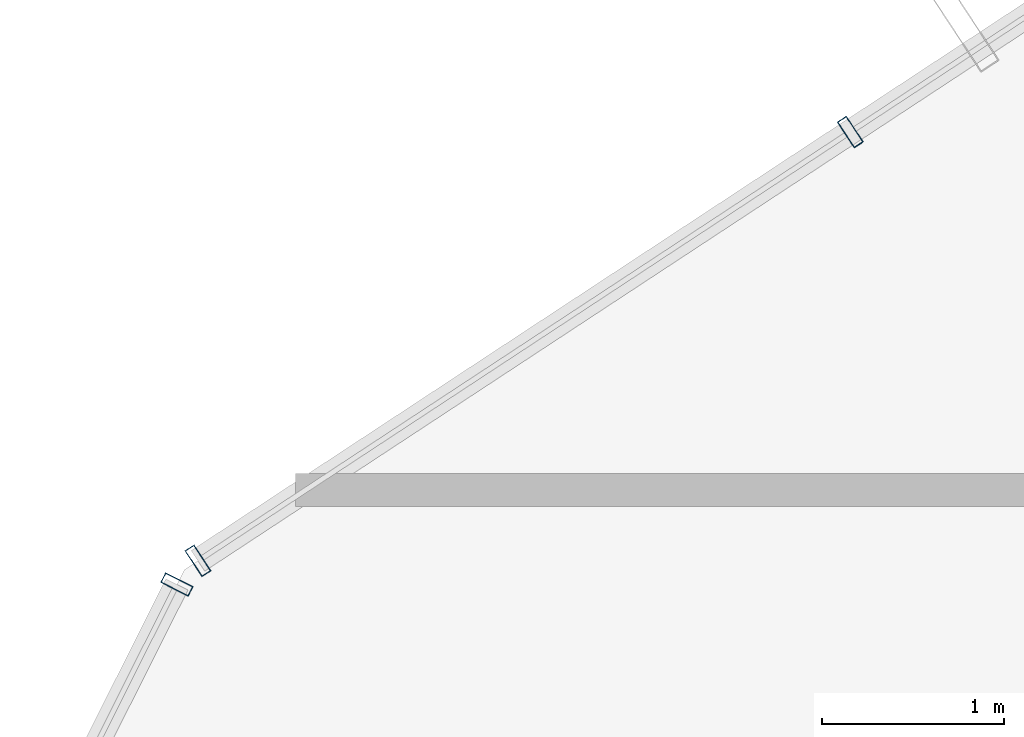
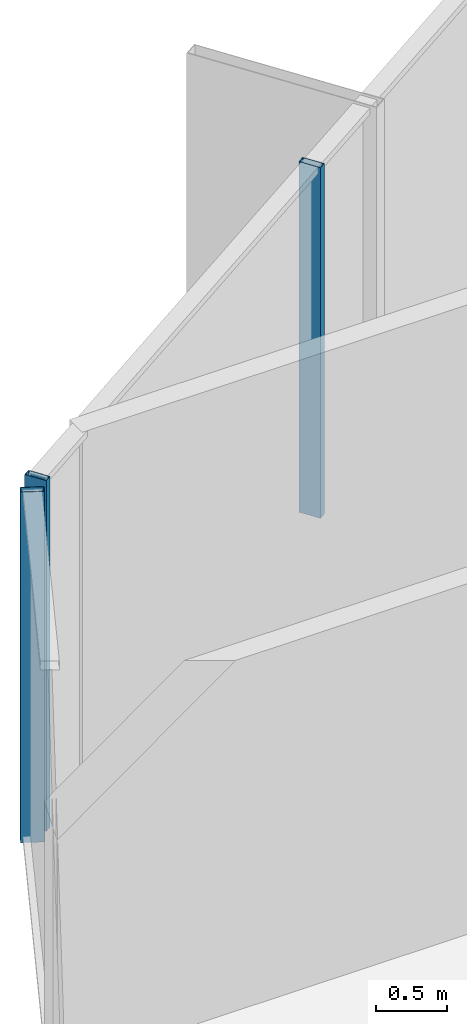
# One storey, part 18 of 33: 3 members, 2 elements without a shape of their own.
"""IFC4 building model written with IfcOpenShell, lengths in metres."""

from ifc_helpers import new_model, si_unit, direction, frame, origin, origin_2d, place, context, subcontext, project, spatial, hollow_rectangle, extrude, source, transform, mapped, material, layer, layer_set, material_profile, profile_set, type_object, element, aggregate, save


model = new_model("IFC4")

# Units and contexts
model_context = context("Model", 3, precision=1e-05, world=origin(), true_north=direction((0.0, 1.0)))
body_context = subcontext(model_context, "Body", "Model", "MODEL_VIEW")
ifc_project = project(units=[si_unit("LENGTHUNIT", "METRE"), si_unit("AREAUNIT", "SQUARE_METRE"), si_unit("VOLUMEUNIT", "CUBIC_METRE"), si_unit("PLANEANGLEUNIT", "RADIAN"), si_unit("MASSUNIT", "GRAM", prefix="KILO")], contexts=[model_context])

# Site, building, storey
site_placement = place(None, origin())
site = spatial("IfcSite", under=ifc_project, at=site_placement, CompositionType="ELEMENT")
building_placement = place(site_placement, origin())
building = spatial("IfcBuilding", under=site, at=building_placement, Name="Veraguas Prism Commons", CompositionType="ELEMENT")
storey_placement = place(building_placement, frame((0.0, 0.0, 139.25)))
storey = spatial("IfcBuildingStorey", under=building, at=storey_placement, Name="L39", CompositionType="ELEMENT", Elevation=139.25)

# Curtain wall, members
ifc_material = material(Name="Anodised aluminium EN AW-6063 T6", Category="aluminium")
ifc_layer = layer(ifc_material, 0.169921875, Name="Unitised Flush Curtain Wall Zone 2", Category="aluminium")
ifc_layer_set = layer_set([ifc_layer], Name="Anodised aluminium EN AW-6063 T6")
curtain_wall_type = type_object("IfcCurtainWallType", Name="Unitised Flush Curtain Wall Zone 2", PredefinedType="NOTDEFINED", material=ifc_layer_set)
curtain_wall_1_placement = place(storey_placement, origin())
curtain_wall_1 = element("IfcCurtainWall", 1, at=curtain_wall_1_placement, inside=storey, type_object=curtain_wall_type, Name="Tower Facade Curtain Wall L39-F2", PredefinedType="NOTDEFINED")
ifc_material_profile = material_profile(ifc_material, hollow_rectangle(XDim=0.06005859375, YDim=0.169921875, WallThickness=0.00390625, at=origin_2d()), Name="AL60X170X4")
ifc_profile_set = profile_set([ifc_material_profile], Name="Anodised aluminium EN AW-6063 T6")
member_type = type_object("IfcMemberType", Name="Curtain Wall Mullion Lower AL 60x170x4", PredefinedType="MULLION", material=ifc_profile_set)
shared_shape = source(origin(), body_context, "Body", "SweptSolid", [
    extrude(hollow_rectangle(XDim=0.06005859375, YDim=0.169921875, WallThickness=0.00390625, at=origin_2d()), origin(), (0.0, 0.0, 1.0), 3.0),
])
member_1_placement = place(storey_placement, frame((9.862548828125, 37.662353515625, 0.0), z_axis=(0.0, 0.0, 1.0), x_axis=(-0.835619500254, -0.54930870264, 0.0)))
member_1 = element("IfcMember", 2, at=member_1_placement, type_object=member_type, Name="CW-Z2 Mullion 4", PredefinedType="MULLION", context=body_context, shape_type="MappedRepresentation", body=[
    mapped(shared_shape, transform((0.0, 0.0, 0.0), scale=1.0)),
])
member_2_placement = place(storey_placement, frame((6.287109375, 35.312255859375, 0.0), z_axis=(0.0, 0.0, 1.0), x_axis=(-0.835619500254, -0.54930870264, 0.0)))
member_2 = element("IfcMember", 3, at=member_2_placement, type_object=member_type, Name="CW-Z2 Mullion 5", PredefinedType="MULLION", context=body_context, shape_type="MappedRepresentation", body=[
    mapped(shared_shape, transform((0.0, 0.0, 0.0), scale=1.0)),
])
aggregate(curtain_wall_1, [member_1, member_2])

# Curtain wall, member
curtain_wall_2_placement = place(storey_placement, origin())
curtain_wall_2 = element("IfcCurtainWall", 4, at=curtain_wall_2_placement, inside=storey, type_object=curtain_wall_type, Name="Chamfer Curtain Wall L39-C3", PredefinedType="NOTDEFINED")
member_3_placement = place(storey_placement, frame((6.171630859375, 35.182373046875, 0.0), z_axis=(0.0, 0.0, 1.0), x_axis=(-0.449018042277, -0.893522690092, 0.0)))
member_3 = element("IfcMember", 5, at=member_3_placement, type_object=member_type, Name="CW-Z2 Mullion 1", PredefinedType="MULLION", context=body_context, shape_type="MappedRepresentation", body=[
    mapped(shared_shape, transform((0.0, 0.0, 0.0), scale=1.0)),
])
aggregate(curtain_wall_2, [member_3])

save(model, "model.ifc")
